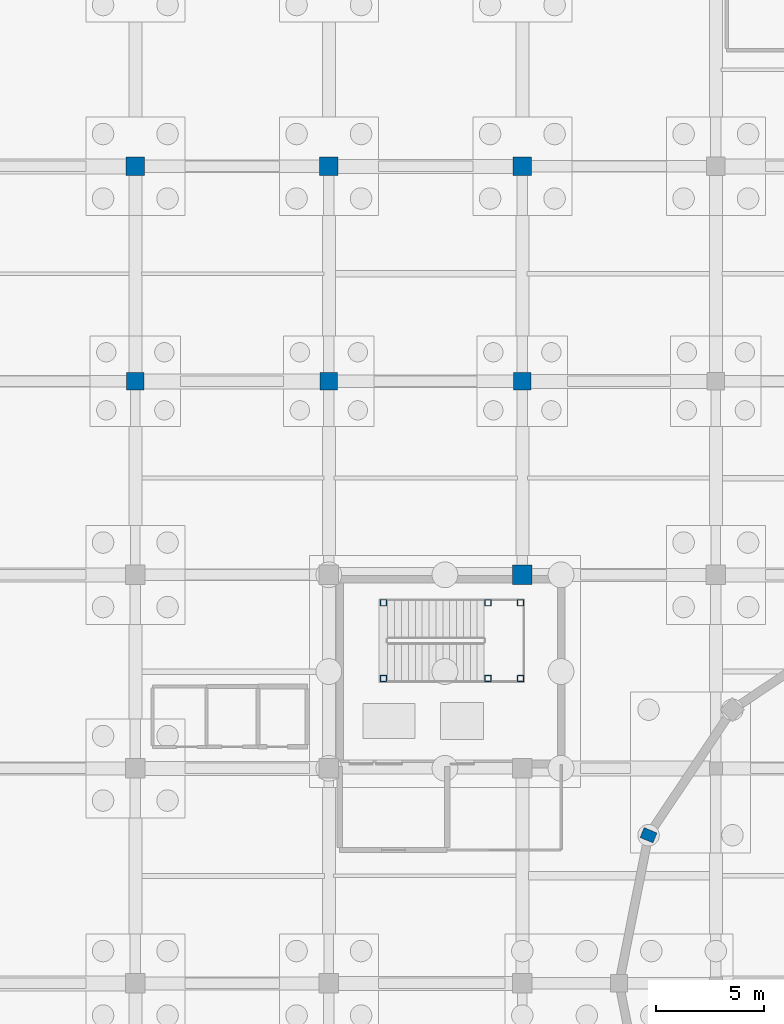
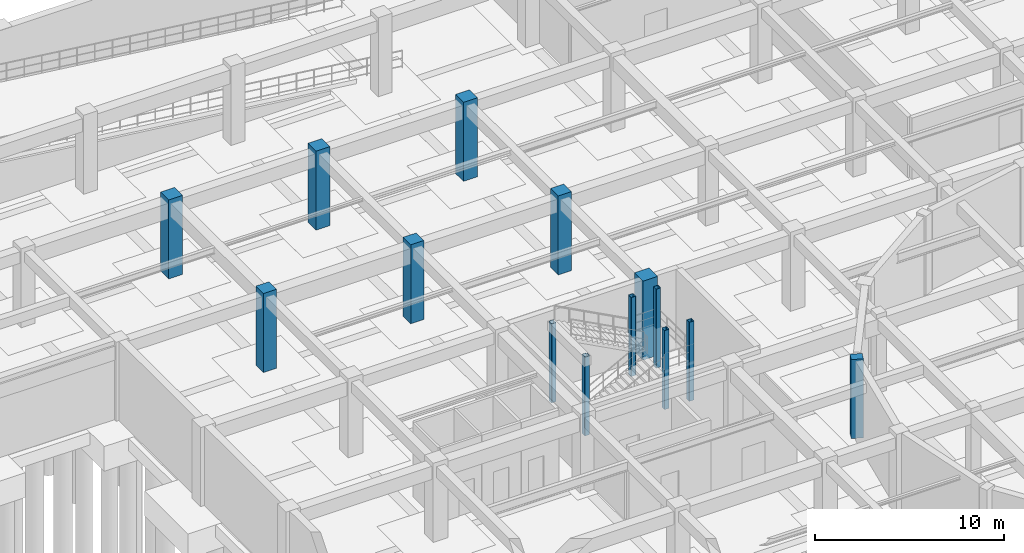
# One storey, part 20 of 62: 14 columns.
"""IFC4 building model written with IfcOpenShell, lengths in metres."""

from ifc_helpers import new_model, si_unit, direction, frame, origin, origin_2d, place, context, subcontext, project, spatial, rectangle, hollow_rectangle, extrude, material, material_profile, profile_set, type_object, element, save


model = new_model("IFC4")

# Units and contexts
model_context = context("Model", 3, precision=1e-05, world=origin(), true_north=direction((0.0, 1.0)))
body_context = subcontext(model_context, "Body", "Model", "MODEL_VIEW")
ifc_project = project(units=[si_unit("LENGTHUNIT", "METRE"), si_unit("AREAUNIT", "SQUARE_METRE"), si_unit("VOLUMEUNIT", "CUBIC_METRE"), si_unit("PLANEANGLEUNIT", "RADIAN"), si_unit("MASSUNIT", "GRAM", prefix="KILO")], contexts=[model_context])

# Site, building, storey
site_placement = place(None, origin())
site = spatial("IfcSite", under=ifc_project, at=site_placement, CompositionType="ELEMENT")
building_placement = place(site_placement, origin())
building = spatial("IfcBuilding", under=site, at=building_placement, Name="Miravela Opera House", CompositionType="ELEMENT")
storey_placement = place(building_placement, frame((0.0, 0.0, -5.10009765625)))
storey = spatial("IfcBuildingStorey", under=building, at=storey_placement, Name="B01", CompositionType="ELEMENT", Elevation=-5.10009765625)

# Columns
ifc_material_1 = material(Name="Hollow structural steel ASTM A500 Gr. C", Category="steel")
ifc_material_profile_1 = material_profile(ifc_material_1, hollow_rectangle(XDim=0.300048828125, YDim=0.300048828125, WallThickness=0.01611328125, InnerFilletRadius=0.01611328125, OuterFilletRadius=0.031982421875, at=origin_2d()), Name="HSS300X300X16")
ifc_profile_set_1 = profile_set([ifc_material_profile_1])
column_type_1 = type_object("IfcColumnType", Name="STR-COL-HSS300", PredefinedType="COLUMN", material=ifc_profile_set_1)
for number, where, z_axis, x_axis, name in (
    (1, (47.5400390625, 70.179931640625, 0.0), (0.0, 0.0, 1.0), (1.0, 0.0, 0.0), "Stair K1 Landing Support Column 1 (B01)"),
    (2, (47.5400390625, 73.699951171875, 0.0), (0.0, 0.0, 1.0), (1.0, 0.0, 0.0), "Stair K1 Landing Support Column 2 (B01)"),
    (3, (52.39990234375, 70.179931640625, 0.0), (0.0, 0.0, 1.0), (1.0, 0.0, 0.0), "Stair K1 Landing Support Column 3 (B01)"),
    (4, (52.39990234375, 73.699951171875, 0.0), (0.0, 0.0, 1.0), (1.0, 0.0, 0.0), "Stair K1 Landing Support Column 4 (B01)"),
    (5, (53.919921875, 70.179931640625, 0.0), (0.0, 0.0, 1.0), (1.0, 0.0, 0.0), "Stair K1 Landing Support Column 5 (B01)"),
    (6, (53.919921875, 73.699951171875, 0.0), (0.0, 0.0, 1.0), (1.0, 0.0, 0.0), "Stair K1 Landing Support Column 6 (B01)"),
):
    element("IfcColumn", number, at=place(storey_placement, frame(where, z_axis=z_axis, x_axis=x_axis)), inside=storey, type_object=column_type_1, Name=name, PredefinedType="COLUMN", context=body_context, shape_type="SweptSolid", body=[
        extrude(hollow_rectangle(XDim=0.300048828125, YDim=0.300048828125, WallThickness=0.01611328125, InnerFilletRadius=0.01611328125, OuterFilletRadius=0.031982421875, at=origin_2d()), origin(), (0.0, 0.0, 1.0), 5.10009765625),
    ])
ifc_material_2 = material(Name="Concrete C40/50", Category="concrete")
ifc_material_profile_2 = material_profile(ifc_material_2, rectangle(XDim=0.800048828125, YDim=0.800048828125, at=origin_2d()), Name="RC-COL-800X800")
ifc_profile_set_2 = profile_set([ifc_material_profile_2])
column_type_2 = type_object("IfcColumnType", Name="STR-COL-RC800", PredefinedType="COLUMN", material=ifc_profile_set_2)
for number, where, z_axis, x_axis, name in (
    (7, (36.0, 84.0, 0.0), (0.0, 0.0, 1.0), (1.0, 0.0, 0.0), "Column C-5J (B01)"),
    (8, (45.0, 84.0, 0.0), (0.0, 0.0, 1.0), (1.0, 0.0, 0.0), "Column C-6J (B01)"),
    (9, (54.0, 84.0, 0.0), (0.0, 0.0, 1.0), (1.0, 0.0, 0.0), "Column C-7J (B01)"),
):
    element("IfcColumn", number, at=place(storey_placement, frame(where, z_axis=z_axis, x_axis=x_axis)), inside=storey, type_object=column_type_2, Name=name, PredefinedType="COLUMN", context=body_context, shape_type="SweptSolid", body=[
        extrude(rectangle(XDim=0.800048828125, YDim=0.800048828125, at=origin_2d()), origin(), (0.0, 0.0, 1.0), 5.10009765625),
    ])
ifc_material_profile_3 = material_profile(ifc_material_2, rectangle(XDim=0.85009765625, YDim=0.85009765625, at=origin_2d()), Name="RC-COL-850X850")
ifc_profile_set_3 = profile_set([ifc_material_profile_3])
column_type_3 = type_object("IfcColumnType", Name="STR-COL-RC850", PredefinedType="COLUMN", material=ifc_profile_set_3)
for number, where, z_axis, x_axis, name in (
    (10, (36.0, 94.0, 0.0), (0.0, 0.0, 1.0), (1.0, 0.0, 0.0), "Column C-5K (B01)"),
    (11, (45.0, 94.0, 0.0), (0.0, 0.0, 1.0), (1.0, 0.0, 0.0), "Column C-6K (B01)"),
    (12, (54.0, 94.0, 0.0), (0.0, 0.0, 1.0), (1.0, 0.0, 0.0), "Column C-7K (B01)"),
):
    element("IfcColumn", number, at=place(storey_placement, frame(where, z_axis=z_axis, x_axis=x_axis)), inside=storey, type_object=column_type_3, Name=name, PredefinedType="COLUMN", context=body_context, shape_type="SweptSolid", body=[
        extrude(rectangle(XDim=0.85009765625, YDim=0.85009765625, at=origin_2d()), origin(), (0.0, 0.0, 1.0), 5.10009765625),
    ])
ifc_material_profile_4 = material_profile(ifc_material_2, rectangle(XDim=0.89990234375, YDim=0.89990234375, at=origin_2d()), Name="RC-COL-900X900")
ifc_profile_set_4 = profile_set([ifc_material_profile_4])
column_type_4 = type_object("IfcColumnType", Name="STR-COL-RC900", PredefinedType="COLUMN", material=ifc_profile_set_4)
column_1_placement = place(storey_placement, frame((54.0, 75.0, 0.0), z_axis=(0.0, 0.0, 1.0), x_axis=(1.0, 0.0, 0.0)))
element("IfcColumn", 13, at=column_1_placement, inside=storey, type_object=column_type_4, Name="Column C-7I (B01)", PredefinedType="COLUMN", context=body_context, shape_type="SweptSolid", body=[
    extrude(rectangle(XDim=0.89990234375, YDim=0.89990234375, at=origin_2d()), origin(), (0.0, 0.0, 1.0), 5.10009765625),
])
ifc_material_3 = material(Name="Concrete C35/45", Category="concrete")
ifc_material_profile_5 = material_profile(ifc_material_3, rectangle(XDim=0.64990234375, YDim=0.5, at=origin_2d()), Name="RC-PIL-650X500")
ifc_profile_set_5 = profile_set([ifc_material_profile_5])
column_type_5 = type_object("IfcColumnType", Name="STR-PIL-RC650X500", PredefinedType="PILASTER", material=ifc_profile_set_5)
column_2_placement = place(storey_placement, frame((59.8701171875, 62.88818359375, 0.0), z_axis=(0.0, 0.0, 1.0), x_axis=(-0.923879532511, 0.382683432365, 0.0)))
element("IfcColumn", 14, at=column_2_placement, inside=storey, type_object=column_type_5, Name="Auditorium Drum Column DC-08 (B01)", PredefinedType="PILASTER", context=body_context, shape_type="SweptSolid", body=[
    extrude(rectangle(XDim=0.64990234375, YDim=0.5, at=origin_2d()), origin(), (0.0, 0.0, 1.0), 5.10009765625),
])

save(model, "model.ifc")
